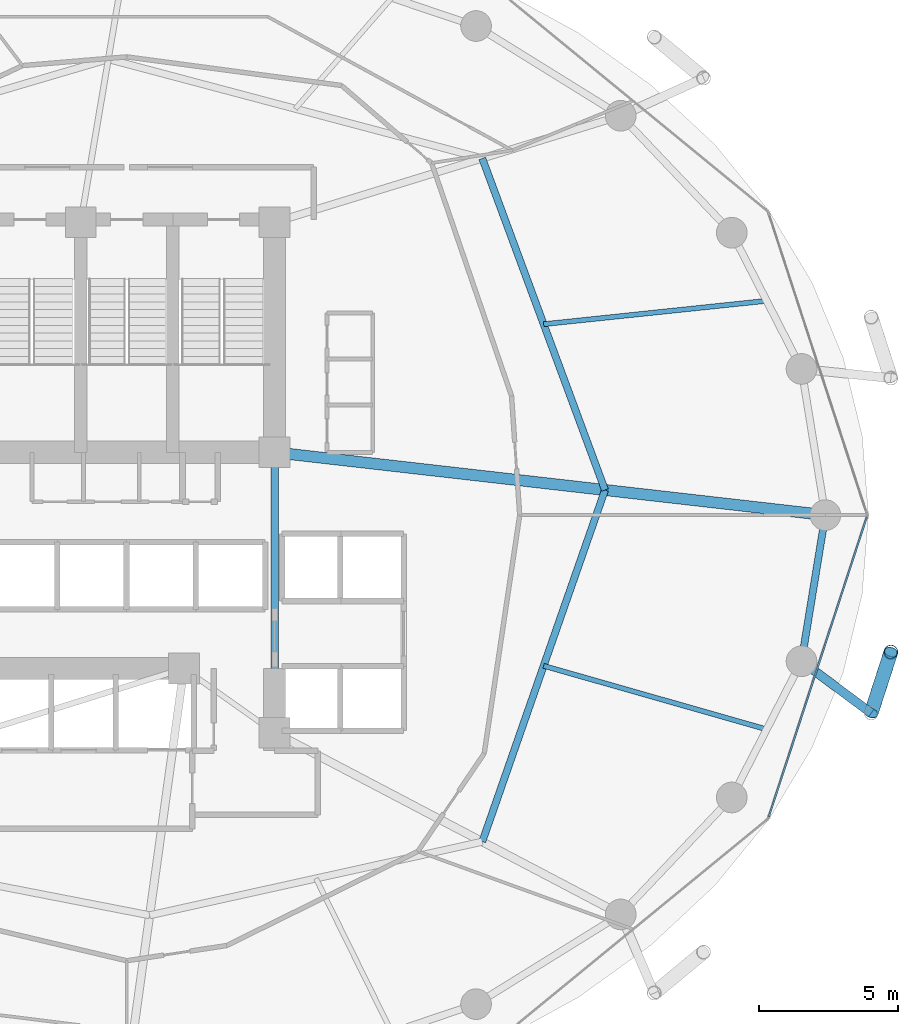
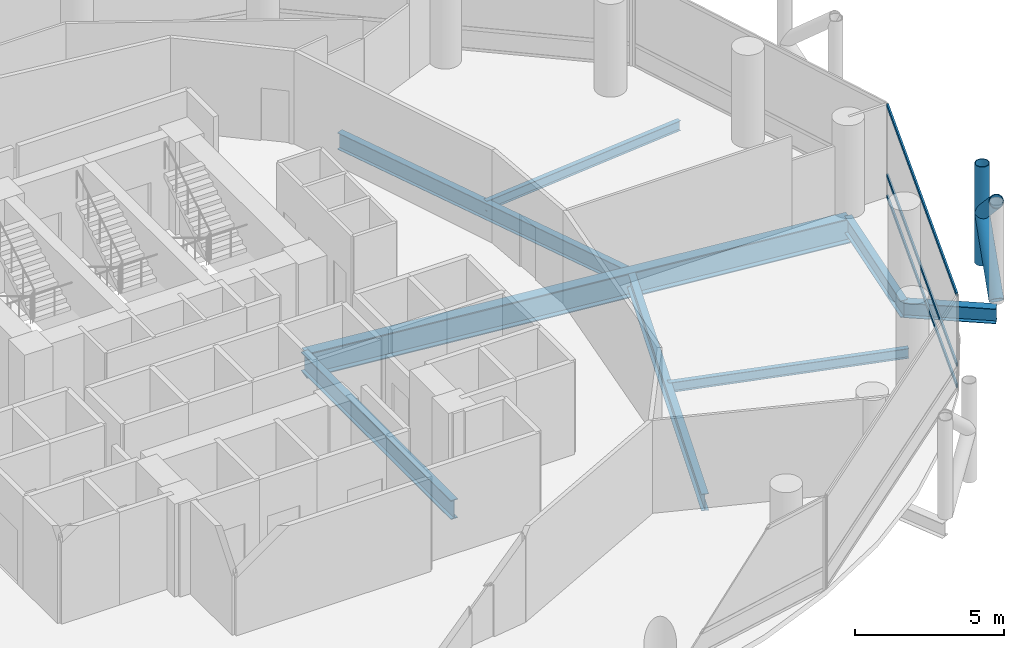
# One storey, part 11 of 25: 8 beams, 6 members, 1 element without a shape of its own.
"""IFC4 building model written with IfcOpenShell, lengths in metres."""

import ifcopenshell
import ifcopenshell.guid

model = None  # the IFC model being written
_history = None  # IfcOwnerHistory: only IFC2X3 demands one
_inside = {}  # id of a spatial element -> (the spatial element, [elements in it])
_under = {}  # id of a project, library or spatial element -> (it, [spatial elements below it])
_declared = {}  # id of a project -> (the project, [libraries it declares])
_typed = {}  # id of a type object -> (the type object, [elements of that type])
_made_of = {}  # id of a material, layer set ... -> (it, [elements and type objects made of it])


def new_model(schema):
    """Start an empty IFC model of exactly this schema.

    Asked for "IFC4X3", IfcOpenShell would pick the latest addendum, in which some entities
    have other attributes; the version numbers below select the first issue.
    IFC2X3 requires an IfcOwnerHistory on every rooted entity: one is made here for all.
    """
    global model, _history
    if schema == "IFC4X3":
        model = ifcopenshell.file(schema_version=(4, 3, 0, 0))
    else:
        model = ifcopenshell.file(schema=schema)
    _inside.clear()
    _under.clear()
    _declared.clear()
    _typed.clear()
    _made_of.clear()
    _history = None
    if model.schema == "IFC2X3":
        org = make("IfcOrganization", Name="unknown")
        user = make(
            "IfcPersonAndOrganization",
            ThePerson=make("IfcPerson", FamilyName="unknown"),
            TheOrganization=org,
        )
        app = make(
            "IfcApplication",
            ApplicationDeveloper=org,
            Version="unknown",
            ApplicationFullName="unknown",
            ApplicationIdentifier="unknown",
        )
        _history = make(
            "IfcOwnerHistory",
            OwningUser=user,
            OwningApplication=app,
            ChangeAction="ADDED",
            CreationDate=0,
        )
    return model


def make(cls, **values):
    """One entity of the class cls with the attributes given. An attribute that is None is left unset."""
    return model.create_entity(
        cls, **{name: value for name, value in values.items() if value is not None}
    )


def rooted(cls, **values):
    """An entity with a GlobalId (a new one), such as an element, a storey or a relation."""
    return make(cls, GlobalId=ifcopenshell.guid.new(), OwnerHistory=_history, **values)


def si_unit(unit_type, name, prefix=None):
    """IfcSIUnit, for example si_unit("LENGTHUNIT", "METRE", prefix="MILLI")."""
    return make("IfcSIUnit", UnitType=unit_type, Prefix=prefix, Name=name)


def assignment(units):
    """IfcUnitAssignment: the units of a project."""
    return None if units is None else make("IfcUnitAssignment", Units=units)


def point(xyz):
    """IfcCartesianPoint."""
    return None if xyz is None else make("IfcCartesianPoint", Coordinates=xyz)


def direction(xyz):
    """IfcDirection."""
    return None if xyz is None else make("IfcDirection", DirectionRatios=xyz)


def frame(location, z_axis=None, x_axis=None):
    """IfcAxis2Placement3D, a coordinate frame: its origin and axes. An axis left out is left unset."""
    return make(
        "IfcAxis2Placement3D",
        Location=point(location),
        Axis=direction(z_axis),
        RefDirection=direction(x_axis),
    )


def frame_2d(location, x_axis=None):
    """IfcAxis2Placement2D, a coordinate frame in the plane: its origin and x axis."""
    return make(
        "IfcAxis2Placement2D", Location=point(location), RefDirection=direction(x_axis)
    )


def origin():
    """The frame at (0, 0, 0) with its axes left unset."""
    return frame((0.0, 0.0, 0.0))


def origin_2d():
    """The frame at (0, 0) in the plane with its x axis left unset."""
    return frame_2d((0.0, 0.0))


def place(relative_to, where):
    """IfcLocalPlacement: puts the frame where relative to a parent placement (None: the world)."""
    return make(
        "IfcLocalPlacement", PlacementRelTo=relative_to, RelativePlacement=where
    )


def context(
    kind, dimensions, precision=None, world=None, true_north=None, identifier=None
):
    """IfcGeometricRepresentationContext, for example the 3D "Model" context."""
    return make(
        "IfcGeometricRepresentationContext",
        ContextIdentifier=identifier,
        ContextType=kind,
        CoordinateSpaceDimension=dimensions,
        Precision=precision,
        WorldCoordinateSystem=world,
        TrueNorth=true_north,
    )


def subcontext(parent, identifier, kind, view, scale=None):
    """IfcGeometricRepresentationSubContext, for example "Body" below "Model"."""
    return make(
        "IfcGeometricRepresentationSubContext",
        ContextIdentifier=identifier,
        ContextType=kind,
        ParentContext=parent,
        TargetScale=scale,
        TargetView=view,
    )


def project(units=None, contexts=None):
    """IfcProject with its units and contexts."""
    return rooted(
        "IfcProject",
        Name="project",
        RepresentationContexts=contexts,
        UnitsInContext=assignment(units),
    )


def spatial(cls, under=None, at=None, **own):
    """A site, building, storey or space (cls), placed at a placement, below another one or the project."""
    s = rooted(cls, ObjectPlacement=at, **own)
    if under is not None:
        _under.setdefault(under.id(), (under, []))[1].append(s)
    return s


def profile(cls, at=None, kind="AREA", **sizes):
    """A parametric profile (cls). Its sizes go by their IFC names, for example OverallWidth=200.0."""
    return make(cls, ProfileType=kind, Position=at, **sizes)


def hollow_rectangle(**sizes):
    """IfcRectangleHollowProfileDef."""
    return profile("IfcRectangleHollowProfileDef", **sizes)


def hollow_circle(**sizes):
    """IfcCircleHollowProfileDef."""
    return profile("IfcCircleHollowProfileDef", **sizes)


def i_section(**sizes):
    """IfcIShapeProfileDef."""
    return profile("IfcIShapeProfileDef", **sizes)


def extrude(swept, where, along, depth):
    """IfcExtrudedAreaSolid: the profile swept, set in the frame where, extruded along a direction by depth."""
    return make(
        "IfcExtrudedAreaSolid",
        SweptArea=swept,
        Position=where,
        ExtrudedDirection=direction(along),
        Depth=depth,
    )


def shape(context_of_items, identifier, shape_type, items):
    """IfcShapeRepresentation: the items that make up one representation, for example the "Body"."""
    return make(
        "IfcShapeRepresentation",
        ContextOfItems=context_of_items,
        RepresentationIdentifier=identifier,
        RepresentationType=shape_type,
        Items=items,
    )


def material(Name=None, Category=None):
    """IfcMaterial."""
    return make("IfcMaterial", Name=Name, Category=Category)


def layer(
    of_material, thickness, ventilated=None, Name=None, Category=None, Priority=None
):
    """IfcMaterialLayer: one layer of a wall or slab, of a material (None: an air gap)."""
    return make(
        "IfcMaterialLayer",
        Material=of_material,
        LayerThickness=thickness,
        IsVentilated=ventilated,
        Name=Name,
        Category=Category,
        Priority=Priority,
    )


def layer_set(layers, Name=None):
    """IfcMaterialLayerSet."""
    return make("IfcMaterialLayerSet", MaterialLayers=layers, LayerSetName=Name)


def material_profile(
    of_material, cross_section, Name=None, Category=None, Priority=None
):
    """IfcMaterialProfile: a cross section and its material."""
    return make(
        "IfcMaterialProfile",
        Name=Name,
        Material=of_material,
        Profile=cross_section,
        Priority=Priority,
        Category=Category,
    )


def profile_set(profiles, Name=None, composite=None):
    """IfcMaterialProfileSet."""
    return make(
        "IfcMaterialProfileSet",
        Name=Name,
        MaterialProfiles=profiles,
        CompositeProfile=composite,
    )


def made_of(thing, what):
    """Note that an element or type object is made of a material, layer set ...; save() writes the relation."""
    if what is not None:
        _made_of.setdefault(what.id(), (what, []))[1].append(thing)
    return thing


def type_object(cls, material=None, **own):
    """A type object (cls), such as IfcWallType, which elements share."""
    return made_of(rooted(cls, **own), material)


def element(
    cls,
    number,
    at=None,
    inside=None,
    cuts=None,
    type_object=None,
    material=None,
    context=None,
    identifier="Body",
    shape_type=None,
    held_by="IfcProductDefinitionShape",
    body=None,
    shapes=None,
    **own,
):
    """One element of the class cls, such as IfcWall. Its Tag is "e" and its number.

    at: its placement. inside: the storey or other place that contains it. cuts: it is an
    opening in that element (IfcRelVoidsElement). A single representation is given by context,
    identifier, shape_type and body (its items); several are given by shapes. held_by: the class
    of the entity that holds the representations. save() writes the other relations.
    """
    e = rooted(cls, Tag="e%d" % number, ObjectPlacement=at, **own)
    if body is not None:
        shapes = [shape(context, identifier, shape_type, body)]
    if shapes is not None:
        e.Representation = make(held_by, Representations=shapes)
    if inside is not None:
        _inside.setdefault(inside.id(), (inside, []))[1].append(e)
    if cuts is not None:
        rooted(
            "IfcRelVoidsElement", RelatingBuildingElement=cuts, RelatedOpeningElement=e
        )
    if type_object is not None:
        _typed.setdefault(type_object.id(), (type_object, []))[1].append(e)
    return made_of(e, material)


def aggregate(whole, parts):
    """IfcRelAggregates: a whole, such as a stair, and the parts it consists of."""
    return rooted("IfcRelAggregates", RelatingObject=whole, RelatedObjects=parts)


def save(model, path):
    """Write the relations noted so far, then the file.

    IfcRelAggregates (storeys below a building ...), IfcRelContainedInSpatialStructure (elements
    in a storey), IfcRelDefinesByType, IfcRelAssociatesMaterial and IfcRelDeclares: one each for
    every whole, place, type object, material and project.
    """
    for whole, parts in _under.values():
        aggregate(whole, parts)
    for where, things in _inside.values():
        rooted(
            "IfcRelContainedInSpatialStructure",
            RelatedElements=things,
            RelatingStructure=where,
        )
    for kind, things in _typed.values():
        rooted("IfcRelDefinesByType", RelatedObjects=things, RelatingType=kind)
    for what, things in _made_of.values():
        rooted("IfcRelAssociatesMaterial", RelatedObjects=things, RelatingMaterial=what)
    for by, libraries in _declared.values():
        rooted("IfcRelDeclares", RelatingContext=by, RelatedDefinitions=libraries)
    model.write(path)


model = new_model("IFC4")

# Units and contexts
model_context = context("Model", 3, precision=1e-05, world=origin(), true_north=direction((0.0, 1.0)))
body_context = subcontext(model_context, "Body", "Model", "MODEL_VIEW")
ifc_project = project(units=[si_unit("LENGTHUNIT", "METRE"), si_unit("AREAUNIT", "SQUARE_METRE"), si_unit("VOLUMEUNIT", "CUBIC_METRE"), si_unit("PLANEANGLEUNIT", "RADIAN"), si_unit("MASSUNIT", "GRAM", prefix="KILO")], contexts=[model_context])

# Site, building, storey
site_placement = place(None, origin())
site = spatial("IfcSite", under=ifc_project, at=site_placement, CompositionType="ELEMENT")
building_placement = place(site_placement, origin())
building = spatial("IfcBuilding", under=site, at=building_placement, Name="Nuhasar Tower", CompositionType="ELEMENT")
storey_placement = place(building_placement, frame((0.0, 0.0, 61.5)))
storey = spatial("IfcBuildingStorey", under=building, at=storey_placement, Name="L14", CompositionType="ELEMENT", Elevation=61.5)

# Beams
ifc_material_1 = material(Name="Steel S355", Category="steel")
ifc_material_profile_1 = material_profile(ifc_material_1, i_section(OverallWidth=0.25390625, OverallDepth=0.68408203125, WebThickness=0.012451171875, FlangeThickness=0.018798828125, at=origin_2d()), Name="W27X94")
ifc_profile_set_1 = profile_set([ifc_material_profile_1], Name="Steel S355")
beam_type_1 = type_object("IfcBeamType", Name="BM-INRING-W27X94", PredefinedType="BEAM", material=ifc_profile_set_1)
beam_1_placement = place(storey_placement, frame((51.748046875, 15.089111328125, -0.592041015625), z_axis=(0.329554049858, 0.944136710558, 0.0), x_axis=(-0.944136710558, 0.329554049858, 0.0)))
element("IfcBeam", 1, at=beam_1_placement, inside=storey, type_object=beam_type_1, Name="L14 Inner Header Beam 03", PredefinedType="BEAM", context=body_context, shape_type="SweptSolid", body=[
    extrude(i_section(OverallWidth=0.25390625, OverallDepth=0.68408203125, WebThickness=0.012451171875, FlangeThickness=0.018798828125, at=origin_2d()), origin(), (0.0, 0.0, 1.0), 13.35693359375),
])
beam_2_placement = place(storey_placement, frame((56.14990234375, 27.699951171875, -0.592041015625), z_axis=(-0.34715757476, 0.937806812881, 0.0), x_axis=(-0.937806812881, -0.34715757476, 0.0)))
element("IfcBeam", 2, at=beam_2_placement, inside=storey, type_object=beam_type_1, Name="L14 Inner Header Beam 04", PredefinedType="BEAM", context=body_context, shape_type="SweptSolid", body=[
    extrude(i_section(OverallWidth=0.25390625, OverallDepth=0.68408203125, WebThickness=0.012451171875, FlangeThickness=0.018798828125, at=origin_2d()), origin(), (0.0, 0.0, 1.0), 12.6796875),
])
ifc_material_profile_2 = material_profile(ifc_material_1, i_section(OverallWidth=0.177978515625, OverallDepth=0.406005859375, WebThickness=0.0078125, FlangeThickness=0.0126953125, at=origin_2d()), Name="W16X40")
ifc_profile_set_2 = profile_set([ifc_material_profile_2], Name="Steel S355")
beam_type_2 = type_object("IfcBeamType", Name="BM-JST-W16X40", PredefinedType="JOIST", material=ifc_profile_set_2)
beam_3_placement = place(storey_placement, frame((53.948974609375, 21.39501953125, -0.452880859375), z_axis=(0.961730884496, -0.273995813484, 0.0), x_axis=(0.273995813484, 0.961730884496, 0.0)))
element("IfcBeam", 3, at=beam_3_placement, inside=storey, type_object=beam_type_2, Name="L14 Secondary Floor Joist 03", PredefinedType="JOIST", context=body_context, shape_type="SweptSolid", body=[
    extrude(i_section(OverallWidth=0.177978515625, OverallDepth=0.406005859375, WebThickness=0.0078125, FlangeThickness=0.0126953125, at=origin_2d()), origin(), (0.0, 0.0, 1.0), 8.314208984375),
])
beam_4_placement = place(storey_placement, frame((53.948974609375, 33.64501953125, -0.452880859375), z_axis=(0.994554594377, 0.104216883485, 0.0), x_axis=(-0.104216883485, 0.994554594377, 0.0)))
element("IfcBeam", 4, at=beam_4_placement, inside=storey, type_object=beam_type_2, Name="L14 Secondary Floor Joist 04", PredefinedType="JOIST", context=body_context, shape_type="SweptSolid", body=[
    extrude(i_section(OverallWidth=0.177978515625, OverallDepth=0.406005859375, WebThickness=0.0078125, FlangeThickness=0.0126953125, at=origin_2d()), origin(), (0.0, 0.0, 1.0), 8.039794921875),
])
ifc_material_profile_3 = material_profile(ifc_material_1, i_section(OverallWidth=0.26611328125, OverallDepth=0.779052734375, WebThickness=0.0166015625, FlangeThickness=0.030029296875, at=origin_2d()), Name="W30X148")
ifc_profile_set_3 = profile_set([ifc_material_profile_3], Name="Steel S355")
beam_type_3 = type_object("IfcBeamType", Name="BM-RAD-W30X148", PredefinedType="BEAM", material=ifc_profile_set_3)
beam_5_placement = place(storey_placement, frame((44.300048828125, 19.0, -0.638916015625), z_axis=(0.0, 1.0, 0.0), x_axis=(-1.0, 0.0, 0.0)))
element("IfcBeam", 5, at=beam_5_placement, inside=storey, type_object=beam_type_3, Name="L14 Core Ring Girder 3", PredefinedType="BEAM", context=body_context, shape_type="SweptSolid", body=[
    extrude(i_section(OverallWidth=0.26611328125, OverallDepth=0.779052734375, WebThickness=0.0166015625, FlangeThickness=0.030029296875, at=origin_2d()), origin(), (0.0, 0.0, 1.0), 10.050048828125),
])
ifc_material_profile_4 = material_profile(ifc_material_1, i_section(OverallWidth=0.256103515625, OverallDepth=0.693115234375, WebThickness=0.014404296875, FlangeThickness=0.023681640625, at=origin_2d()), Name="W27X114")
ifc_profile_set_4 = profile_set([ifc_material_profile_4], Name="Steel S355")
beam_type_4 = type_object("IfcBeamType", Name="BM-RING-W27X114", PredefinedType="SPANDREL", material=ifc_profile_set_4)
beam_6_placement = place(storey_placement, frame((63.196044921875, 21.55908203125, -0.595947265625), z_axis=(0.160826635486, 0.986982671235, 0.0), x_axis=(-0.986982671235, 0.160826635486, 0.0)))
element("IfcBeam", 6, at=beam_6_placement, inside=storey, type_object=beam_type_4, Name="L14 Perimeter Ring Spandrel 24", PredefinedType="SPANDREL", context=body_context, shape_type="SweptSolid", body=[
    extrude(i_section(OverallWidth=0.256103515625, OverallDepth=0.693115234375, WebThickness=0.014404296875, FlangeThickness=0.023681640625, at=origin_2d()), origin(), (0.0, 0.0, 1.0), 5.31005859375),
])
ifc_material_profile_5 = material_profile(ifc_material_1, i_section(OverallWidth=0.323974609375, OverallDepth=0.611083984375, WebThickness=0.0126953125, FlangeThickness=0.01904296875, at=origin_2d()), Name="W24X104")
ifc_profile_set_5 = profile_set([ifc_material_profile_5], Name="Steel S355")
beam_type_5 = type_object("IfcBeamType", Name="BM-TIE-W24X104", PredefinedType="BEAM", material=ifc_profile_set_5)
beam_7_placement = place(storey_placement, frame((63.196044921875, 21.55908203125, -0.555908203125), z_axis=(0.802113478067, -0.597171640572, 0.0), x_axis=(0.597171640572, 0.802113478067, 0.0)))
element("IfcBeam", 7, at=beam_7_placement, inside=storey, type_object=beam_type_5, Name="L14 Exoskeleton Node Tie Beam 12", PredefinedType="BEAM", context=body_context, shape_type="SweptSolid", body=[
    extrude(i_section(OverallWidth=0.323974609375, OverallDepth=0.611083984375, WebThickness=0.0126953125, FlangeThickness=0.01904296875, at=origin_2d()), origin(), (0.0, 0.0, 1.0), 3.111572265625),
])
ifc_material_2 = material(Name="Steel S460", Category="steel")
ifc_material_profile_6 = material_profile(ifc_material_2, i_section(OverallWidth=0.40087890625, OverallDepth=1.010009765625, WebThickness=0.023681640625, FlangeThickness=0.0419921875, at=origin_2d()), Name="W40X297")
ifc_profile_set_6 = profile_set([ifc_material_profile_6], Name="Steel S460")
beam_type_6 = type_object("IfcBeamType", Name="BM-XFER-W40X297", PredefinedType="USERDEFINED", material=ifc_profile_set_6)
beam_8_placement = place(storey_placement, frame((44.300048828125, 29.050048828125, -0.7548828125), z_axis=(0.993573147212, -0.113191877531, 0.0), x_axis=(0.113191877531, 0.993573147212, 0.0)))
element("IfcBeam", 8, at=beam_8_placement, inside=storey, type_object=beam_type_6, Name="L14 Radial Floor Girder 04", ObjectType="GIRDER", PredefinedType="USERDEFINED", context=body_context, shape_type="SweptSolid", body=[
    extrude(i_section(OverallWidth=0.40087890625, OverallDepth=1.010009765625, WebThickness=0.023681640625, FlangeThickness=0.0419921875, at=origin_2d()), origin(), (0.0, 0.0, 1.0), 19.877685546875),
])

# Curtain wall, members
ifc_material_3 = material(Name="Aluminium 6063-T6", Category="aluminium")
ifc_layer = layer(ifc_material_3, 0.199951171875)
ifc_layer_set = layer_set([ifc_layer], Name="Aluminium 6063-T6")
curtain_wall_type = type_object("IfcCurtainWallType", Name="CW-Z1-OFF", PredefinedType="NOTDEFINED", material=ifc_layer_set)
curtain_wall_placement = place(storey_placement, origin())
curtain_wall = element("IfcCurtainWall", 9, at=curtain_wall_placement, inside=storey, type_object=curtain_wall_type, Name="L14 Unitised Curtain Wall 12", PredefinedType="NOTDEFINED")
ifc_material_profile_7 = material_profile(ifc_material_3, hollow_rectangle(XDim=0.06494140625, YDim=0.14990234375, WallThickness=0.00439453125, at=origin_2d()), Name="CWT-2")
ifc_profile_set_7 = profile_set([ifc_material_profile_7], Name="Aluminium 6063-T6")
member_type_1 = type_object("IfcMemberType", Name="CW-TRN-S2", PredefinedType="USERDEFINED", material=ifc_profile_set_7)
member_1_placement = place(storey_placement, frame((62.022216796875, 15.981689453125, 0.032470703125), z_axis=(0.310818687697, 0.950469222741, 0.0), x_axis=(-0.950469222741, 0.310818687697, 0.0)))
member_1 = element("IfcMember", 10, at=member_1_placement, type_object=member_type_1, Name="CW-Z1 transom 1.1", ObjectType="TRANSOM", PredefinedType="USERDEFINED", context=body_context, shape_type="SweptSolid", body=[
    extrude(hollow_rectangle(XDim=0.06494140625, YDim=0.14990234375, WallThickness=0.00439453125, at=origin_2d()), origin(), (0.0, 0.0, 1.0), 11.317138671875),
])
member_2_placement = place(storey_placement, frame((62.022216796875, 15.981689453125, 0.89990234375), z_axis=(0.310818687697, 0.950469222741, 0.0), x_axis=(-0.950469222741, 0.310818687697, 0.0)))
member_2 = element("IfcMember", 11, at=member_2_placement, type_object=member_type_1, Name="CW-Z1 transom 1.2", ObjectType="TRANSOM", PredefinedType="USERDEFINED", context=body_context, shape_type="SweptSolid", body=[
    extrude(hollow_rectangle(XDim=0.06494140625, YDim=0.14990234375, WallThickness=0.00439453125, at=origin_2d()), origin(), (0.0, 0.0, 1.0), 11.317138671875),
])
member_3_placement = place(storey_placement, frame((62.022216796875, 15.981689453125, 3.767578125), z_axis=(0.310818687697, 0.950469222741, 0.0), x_axis=(-0.950469222741, 0.310818687697, 0.0)))
member_3 = element("IfcMember", 12, at=member_3_placement, type_object=member_type_1, Name="CW-Z1 transom 1.3", ObjectType="TRANSOM", PredefinedType="USERDEFINED", context=body_context, shape_type="SweptSolid", body=[
    extrude(hollow_rectangle(XDim=0.06494140625, YDim=0.14990234375, WallThickness=0.00439453125, at=origin_2d()), origin(), (0.0, 0.0, 1.0), 11.317138671875),
])
aggregate(curtain_wall, [member_1, member_2, member_3])

# Members
ifc_material_profile_8 = material_profile(ifc_material_2, hollow_circle(Radius=0.25390625, WallThickness=0.025390625, at=origin_2d()), Name="HSS508X25.4")
ifc_profile_set_8 = profile_set([ifc_material_profile_8], Name="Steel S460")
member_type_2 = type_object("IfcMemberType", Name="EXO-BRONZE-508", PredefinedType="BRACE", material=ifc_profile_set_8)
member_4_placement = place(storey_placement, frame((66.39990234375, 21.889892578125, 0.0), z_axis=(0.0, 0.0, 1.0), x_axis=(1.0, 0.0, 0.0)))
element("IfcMember", 13, at=member_4_placement, inside=storey, type_object=member_type_2, Name="L14 Exoskeleton Chord Column EC-12B", PredefinedType="BRACE", context=body_context, shape_type="SweptSolid", body=[
    extrude(hollow_circle(Radius=0.25390625, WallThickness=0.025390625, at=origin_2d()), origin(), (0.0, 0.0, 1.0), 4.050048828125),
])
member_5_placement = place(storey_placement, frame((65.69189453125, 19.700927734375, 0.0), z_axis=(0.231011836313, 0.714224870475, 0.660693851854), x_axis=(-0.951468282519, 0.307746823478, 0.0)))
element("IfcMember", 14, at=member_5_placement, inside=storey, type_object=member_type_2, Name="L14 Bronze Diagrid Brace W1-12", PredefinedType="BRACE", context=body_context, shape_type="SweptSolid", body=[
    extrude(hollow_circle(Radius=0.25390625, WallThickness=0.025390625, at=origin_2d()), origin(), (0.0, 0.0, 1.0), 3.064697265625),
])
member_6_placement = place(storey_placement, frame((66.39990234375, 21.889892578125, 2.02490234375), z_axis=(-0.230999678299, -0.714187281251, 0.660738734997), x_axis=(0.951468282519, -0.307746823478, 0.0)))
element("IfcMember", 15, at=member_6_placement, inside=storey, type_object=member_type_2, Name="L14 Bronze Diagrid Brace W2-12", PredefinedType="BRACE", context=body_context, shape_type="SweptSolid", body=[
    extrude(hollow_circle(Radius=0.25390625, WallThickness=0.025390625, at=origin_2d()), origin(), (0.0, 0.0, 1.0), 3.06494140625),
])

save(model, "model.ifc")
